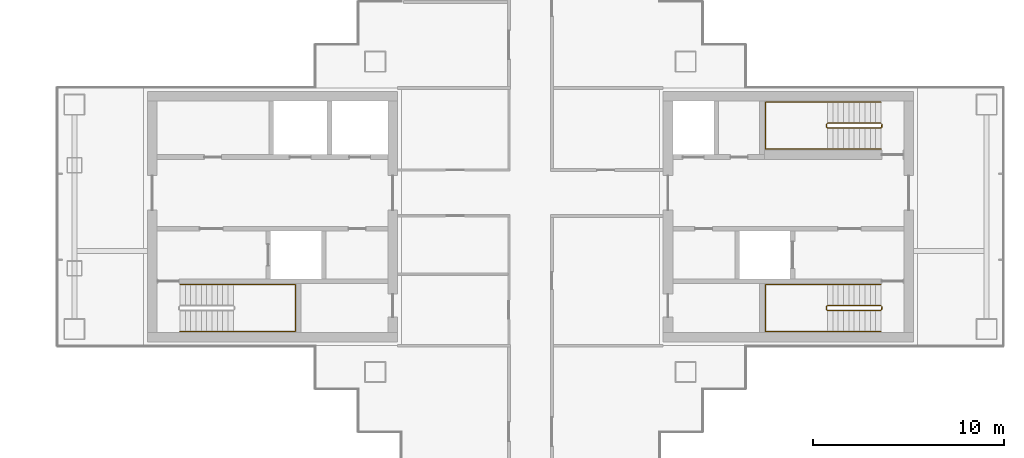
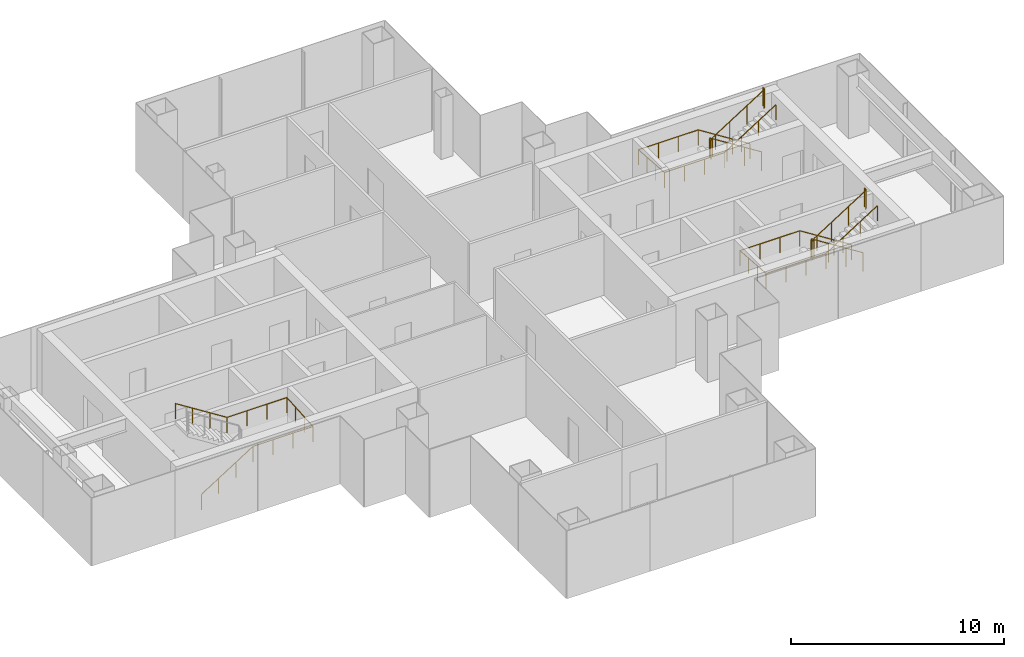
# One storey, part 15 of 16: 5 railings.
"""IFC4 building model written with IfcOpenShell, lengths in metres."""

from ifc_helpers import new_model, si_unit, direction, frame, origin, origin_2d, place, context, subcontext, project, spatial, circle, extrude, material, type_object, element, save


model = new_model("IFC4")

# Units and contexts
model_context = context("Model", 3, precision=1e-05, world=origin(), true_north=direction((0.0, 1.0)))
body_context = subcontext(model_context, "Body", "Model", "MODEL_VIEW")
ifc_project = project(units=[si_unit("LENGTHUNIT", "METRE"), si_unit("AREAUNIT", "SQUARE_METRE"), si_unit("VOLUMEUNIT", "CUBIC_METRE"), si_unit("PLANEANGLEUNIT", "RADIAN"), si_unit("MASSUNIT", "GRAM", prefix="KILO")], contexts=[model_context])

# Site, building, storey
site_placement = place(None, origin())
site = spatial("IfcSite", under=ifc_project, at=site_placement, CompositionType="ELEMENT")
building_placement = place(site_placement, origin())
building = spatial("IfcBuilding", under=site, at=building_placement, Name="Shamsa Quay Exchange Towers", CompositionType="ELEMENT")
storey_placement = place(building_placement, frame((0.0, 0.0, 154.5)))
storey = spatial("IfcBuildingStorey", under=building, at=storey_placement, Name="L36", CompositionType="ELEMENT", Elevation=154.5)

# Railings
ifc_material = material(Name="Stainless steel", Category="steel")
railing_type_1 = type_object("IfcRailingType", Name="STAIR GUARD 1100", PredefinedType="GUARDRAIL", material=ifc_material)
railing_1_placement = place(storey_placement, frame((52.10009765625, -4.64990234375, 0.17724609375)))
element("IfcRailing", 1, at=railing_1_placement, inside=storey, type_object=railing_type_1, Name="L36 ST5 stair guard 1", PredefinedType="GUARDRAIL", context=body_context, shape_type="SweptSolid", body=[
    extrude(circle(Radius=0.02392578125, at=origin_2d()), frame((0.0, 0.0, 1.076171875), z_axis=(-0.844908973607, 0.0, 0.534910110503), x_axis=(0.0, -1.0, 0.0)), (0.0, 0.0, 1.0), 3.31396484375),
    extrude(circle(Radius=0.02392578125, at=origin_2d()), frame((-2.800048828125, 0.0, 2.8486328125), z_axis=(-0.707106781187, -0.707106781187, 0.0), x_axis=(0.707106781187, -0.707106781187, 0.0)), (0.0, 0.0, 1.0), 0.07080078125),
    extrude(circle(Radius=0.02392578125, at=origin_2d()), frame((-2.85009765625, -0.050048828125, 2.8486328125), z_axis=(0.0, -1.0, 0.0), x_axis=(1.0, 0.0, 0.0)), (0.0, 0.0, 1.0), 0.150146484375),
    extrude(circle(Radius=0.02392578125, at=origin_2d()), frame((-2.85009765625, -0.2001953125, 2.8486328125), z_axis=(0.262321481514, -0.261041864531, 0.929001929653), x_axis=(0.705375805398, 0.708833529934, 0.0)), (0.0, 0.0, 1.0), 0.190673828125),
    extrude(circle(Radius=0.02392578125, at=origin_2d()), frame((-2.800048828125, -0.25, 3.02587890625), z_axis=(0.844908973607, 0.0, 0.534910110503), x_axis=(0.0, 1.0, 0.0)), (0.0, 0.0, 1.0), 3.31396484375),
    extrude(circle(Radius=0.02392578125, at=origin_2d()), frame((0.0, -0.25, 4.798828125), z_axis=(0.241699205484, 0.970351222016, 0.0), x_axis=(-0.970351222016, 0.241699205484, 0.0)), (0.0, 0.0, 1.0), 0.2060546875),
    extrude(circle(Radius=0.02392578125, at=origin_2d()), frame((0.0498046875, -0.050048828125, 4.798828125), z_axis=(0.0, -1.0, 0.0), x_axis=(1.0, 0.0, 0.0)), (0.0, 0.0, 1.0), 0.150146484375),
    extrude(circle(Radius=0.02099609375, at=origin_2d()), origin(), (0.0, 0.0, 1.0), 1.052001953125),
    extrude(circle(Radius=0.02099609375, at=origin_2d()), frame((-0.933349609375, 0.0, 0.5908203125)), (0.0, 0.0, 1.0), 1.052001953125),
    extrude(circle(Radius=0.02099609375, at=origin_2d()), frame((-1.86669921875, 0.0, 1.181884765625)), (0.0, 0.0, 1.0), 1.052001953125),
    extrude(circle(Radius=0.02099609375, at=origin_2d()), frame((-2.800048828125, 0.0, 1.772705078125)), (0.0, 0.0, 1.0), 1.052001953125),
    extrude(circle(Radius=0.02099609375, at=origin_2d()), frame((-2.85009765625, -0.050048828125, 1.772705078125)), (0.0, 0.0, 1.0), 1.052001953125),
    extrude(circle(Radius=0.02099609375, at=origin_2d()), frame((-2.85009765625, -0.2001953125, 1.772705078125)), (0.0, 0.0, 1.0), 1.052001953125),
    extrude(circle(Radius=0.02099609375, at=origin_2d()), frame((-2.800048828125, -0.25, 1.949951171875)), (0.0, 0.0, 1.0), 1.052001953125),
    extrude(circle(Radius=0.02099609375, at=origin_2d()), frame((-1.86669921875, -0.25, 2.540771484375)), (0.0, 0.0, 1.0), 1.052001953125),
    extrude(circle(Radius=0.02099609375, at=origin_2d()), frame((-0.933349609375, -0.25, 3.1318359375)), (0.0, 0.0, 1.0), 1.052001953125),
    extrude(circle(Radius=0.02099609375, at=origin_2d()), frame((0.0, -0.25, 3.72265625)), (0.0, 0.0, 1.0), 1.052001953125),
    extrude(circle(Radius=0.02099609375, at=origin_2d()), frame((0.0498046875, -0.050048828125, 3.72265625)), (0.0, 0.0, 1.0), 1.052001953125),
    extrude(circle(Radius=0.02099609375, at=origin_2d()), frame((0.0498046875, -0.2001953125, 3.72265625)), (0.0, 0.0, 1.0), 1.052001953125),
])
railing_2_placement = place(storey_placement, frame((52.10009765625, 4.89990234375, 0.17724609375)))
element("IfcRailing", 2, at=railing_2_placement, inside=storey, type_object=railing_type_1, Name="L36 ST6 stair guard 1", PredefinedType="GUARDRAIL", context=body_context, shape_type="SweptSolid", body=[
    extrude(circle(Radius=0.02392578125, at=origin_2d()), frame((0.0, 0.0, 1.076171875), z_axis=(-0.844908973607, 0.0, 0.534910110503), x_axis=(0.0, -1.0, 0.0)), (0.0, 0.0, 1.0), 3.31396484375),
    extrude(circle(Radius=0.02392578125, at=origin_2d()), frame((-2.800048828125, 0.0, 2.8486328125), z_axis=(-0.708833529934, -0.705375805398, 0.0), x_axis=(0.705375805398, -0.708833529934, 0.0)), (0.0, 0.0, 1.0), 0.070556640625),
    extrude(circle(Radius=0.02392578125, at=origin_2d()), frame((-2.85009765625, -0.0498046875, 2.8486328125), z_axis=(0.0, -1.0, 0.0), x_axis=(1.0, 0.0, 0.0)), (0.0, 0.0, 1.0), 0.150146484375),
    extrude(circle(Radius=0.02392578125, at=origin_2d()), frame((-2.85009765625, -0.199951171875, 2.8486328125), z_axis=(0.262233686654, -0.262233686654, 0.928691007369), x_axis=(0.707106781187, 0.707106781187, 0.0)), (0.0, 0.0, 1.0), 0.19091796875),
    extrude(circle(Radius=0.02392578125, at=origin_2d()), frame((-2.800048828125, -0.25, 3.02587890625), z_axis=(0.844908973607, 0.0, 0.534910110503), x_axis=(0.0, 1.0, 0.0)), (0.0, 0.0, 1.0), 3.31396484375),
    extrude(circle(Radius=0.02392578125, at=origin_2d()), frame((0.0, -0.25, 4.798828125), z_axis=(0.24142163986, 0.970420317083, 0.0), x_axis=(-0.970420317083, 0.24142163986, 0.0)), (0.0, 0.0, 1.0), 0.206298828125),
    extrude(circle(Radius=0.02392578125, at=origin_2d()), frame((0.0498046875, -0.0498046875, 4.798828125), z_axis=(0.0, -1.0, 0.0), x_axis=(1.0, 0.0, 0.0)), (0.0, 0.0, 1.0), 0.150146484375),
    extrude(circle(Radius=0.02099609375, at=origin_2d()), origin(), (0.0, 0.0, 1.0), 1.052001953125),
    extrude(circle(Radius=0.02099609375, at=origin_2d()), frame((-0.933349609375, 0.0, 0.5908203125)), (0.0, 0.0, 1.0), 1.052001953125),
    extrude(circle(Radius=0.02099609375, at=origin_2d()), frame((-1.86669921875, 0.0, 1.181884765625)), (0.0, 0.0, 1.0), 1.052001953125),
    extrude(circle(Radius=0.02099609375, at=origin_2d()), frame((-2.800048828125, 0.0, 1.772705078125)), (0.0, 0.0, 1.0), 1.052001953125),
    extrude(circle(Radius=0.02099609375, at=origin_2d()), frame((-2.85009765625, -0.0498046875, 1.772705078125)), (0.0, 0.0, 1.0), 1.052001953125),
    extrude(circle(Radius=0.02099609375, at=origin_2d()), frame((-2.85009765625, -0.199951171875, 1.772705078125)), (0.0, 0.0, 1.0), 1.052001953125),
    extrude(circle(Radius=0.02099609375, at=origin_2d()), frame((-2.800048828125, -0.25, 1.949951171875)), (0.0, 0.0, 1.0), 1.052001953125),
    extrude(circle(Radius=0.02099609375, at=origin_2d()), frame((-1.86669921875, -0.25, 2.540771484375)), (0.0, 0.0, 1.0), 1.052001953125),
    extrude(circle(Radius=0.02099609375, at=origin_2d()), frame((-0.933349609375, -0.25, 3.1318359375)), (0.0, 0.0, 1.0), 1.052001953125),
    extrude(circle(Radius=0.02099609375, at=origin_2d()), frame((0.0, -0.25, 3.72265625)), (0.0, 0.0, 1.0), 1.052001953125),
    extrude(circle(Radius=0.02099609375, at=origin_2d()), frame((0.0498046875, -0.0498046875, 3.72265625)), (0.0, 0.0, 1.0), 1.052001953125),
    extrude(circle(Radius=0.02099609375, at=origin_2d()), frame((0.0498046875, -0.199951171875, 3.72265625)), (0.0, 0.0, 1.0), 1.052001953125),
])
railing_type_2 = type_object("IfcRailingType", Name="STAIR HANDRAIL 900", PredefinedType="HANDRAIL", material=ifc_material)
railing_3_placement = place(storey_placement, frame((15.39990234375, -6.0, 0.17724609375)))
element("IfcRailing", 3, at=railing_3_placement, inside=storey, type_object=railing_type_2, Name="L36 ST4 stair handrail 1", PredefinedType="HANDRAIL", context=body_context, shape_type="SweptSolid", body=[
    extrude(circle(Radius=0.02392578125, at=origin_2d()), frame((0.0, 0.0, 0.8759765625), z_axis=(0.844908973607, 0.0, 0.534910110503), x_axis=(0.0, 1.0, 0.0)), (0.0, 0.0, 1.0), 3.31396484375),
    extrude(circle(Radius=0.02392578125, at=origin_2d()), frame((2.800048828125, 0.0, 2.6484375), z_axis=(1.0, 0.0, 0.0), x_axis=(0.0, 1.0, 0.0)), (0.0, 0.0, 1.0), 3.25),
    extrude(circle(Radius=0.02392578125, at=origin_2d()), frame((6.050048828125, 0.0, 2.6484375), z_axis=(0.0, 0.997393199914, 0.07215819264), x_axis=(-1.0, 0.0, 0.0)), (0.0, 0.0, 1.0), 2.456298828125),
    extrude(circle(Radius=0.02392578125, at=origin_2d()), frame((6.050048828125, 2.449951171875, 2.82568359375), z_axis=(-1.0, 0.0, 0.0), x_axis=(0.0, -1.0, 0.0)), (0.0, 0.0, 1.0), 3.25),
    extrude(circle(Radius=0.02392578125, at=origin_2d()), frame((2.800048828125, 2.449951171875, 2.82568359375), z_axis=(-0.844908973607, 0.0, 0.534910110503), x_axis=(0.0, -1.0, 0.0)), (0.0, 0.0, 1.0), 3.31396484375),
    extrude(circle(Radius=0.02099609375, at=origin_2d()), origin(), (0.0, 0.0, 1.0), 0.851806640625),
    extrude(circle(Radius=0.02099609375, at=origin_2d()), frame((0.933349609375, 0.0, 0.5908203125)), (0.0, 0.0, 1.0), 0.851806640625),
    extrude(circle(Radius=0.02099609375, at=origin_2d()), frame((1.86669921875, 0.0, 1.181884765625)), (0.0, 0.0, 1.0), 0.851806640625),
    extrude(circle(Radius=0.02099609375, at=origin_2d()), frame((2.800048828125, 0.0, 1.772705078125)), (0.0, 0.0, 1.0), 0.851806640625),
    extrude(circle(Radius=0.02099609375, at=origin_2d()), frame((3.88330078125, 0.0, 1.772705078125)), (0.0, 0.0, 1.0), 0.851806640625),
    extrude(circle(Radius=0.02099609375, at=origin_2d()), frame((4.966796875, 0.0, 1.772705078125)), (0.0, 0.0, 1.0), 0.851806640625),
    extrude(circle(Radius=0.02099609375, at=origin_2d()), frame((6.050048828125, 0.0, 1.772705078125)), (0.0, 0.0, 1.0), 0.851806640625),
    extrude(circle(Radius=0.02099609375, at=origin_2d()), frame((6.050048828125, 0.816650390625, 1.831787109375)), (0.0, 0.0, 1.0), 0.851806640625),
    extrude(circle(Radius=0.02099609375, at=origin_2d()), frame((6.050048828125, 1.63330078125, 1.890869140625)), (0.0, 0.0, 1.0), 0.851806640625),
    extrude(circle(Radius=0.02099609375, at=origin_2d()), frame((6.050048828125, 2.449951171875, 1.949951171875)), (0.0, 0.0, 1.0), 0.851806640625),
    extrude(circle(Radius=0.02099609375, at=origin_2d()), frame((4.966796875, 2.449951171875, 1.949951171875)), (0.0, 0.0, 1.0), 0.851806640625),
    extrude(circle(Radius=0.02099609375, at=origin_2d()), frame((3.88330078125, 2.449951171875, 1.949951171875)), (0.0, 0.0, 1.0), 0.851806640625),
    extrude(circle(Radius=0.02099609375, at=origin_2d()), frame((2.800048828125, 2.449951171875, 1.949951171875)), (0.0, 0.0, 1.0), 0.851806640625),
    extrude(circle(Radius=0.02099609375, at=origin_2d()), frame((1.86669921875, 2.449951171875, 2.540771484375)), (0.0, 0.0, 1.0), 0.851806640625),
    extrude(circle(Radius=0.02099609375, at=origin_2d()), frame((0.933349609375, 2.449951171875, 3.1318359375)), (0.0, 0.0, 1.0), 0.851806640625),
    extrude(circle(Radius=0.02099609375, at=origin_2d()), frame((0.0, 2.449951171875, 3.72265625)), (0.0, 0.0, 1.0), 0.851806640625),
])
railing_4_placement = place(storey_placement, frame((52.10009765625, -3.550048828125, 0.17724609375)))
element("IfcRailing", 4, at=railing_4_placement, inside=storey, type_object=railing_type_2, Name="L36 ST5 stair handrail 1", PredefinedType="HANDRAIL", context=body_context, shape_type="SweptSolid", body=[
    extrude(circle(Radius=0.02392578125, at=origin_2d()), frame((0.0, 0.0, 0.8759765625), z_axis=(-0.844908973607, 0.0, 0.534910110503), x_axis=(0.0, -1.0, 0.0)), (0.0, 0.0, 1.0), 3.31396484375),
    extrude(circle(Radius=0.02392578125, at=origin_2d()), frame((-2.800048828125, 0.0, 2.6484375), z_axis=(-1.0, 0.0, 0.0), x_axis=(0.0, -1.0, 0.0)), (0.0, 0.0, 1.0), 3.25),
    extrude(circle(Radius=0.02392578125, at=origin_2d()), frame((-6.050048828125, 0.0, 2.6484375), z_axis=(0.0, -0.997393199914, 0.07215819264), x_axis=(1.0, 0.0, 0.0)), (0.0, 0.0, 1.0), 2.456298828125),
    extrude(circle(Radius=0.02392578125, at=origin_2d()), frame((-6.050048828125, -2.449951171875, 2.82568359375), z_axis=(1.0, 0.0, 0.0), x_axis=(0.0, 1.0, 0.0)), (0.0, 0.0, 1.0), 3.25),
    extrude(circle(Radius=0.02392578125, at=origin_2d()), frame((-2.800048828125, -2.449951171875, 2.82568359375), z_axis=(0.844908973607, 0.0, 0.534910110503), x_axis=(0.0, 1.0, 0.0)), (0.0, 0.0, 1.0), 3.31396484375),
    extrude(circle(Radius=0.02099609375, at=origin_2d()), origin(), (0.0, 0.0, 1.0), 0.851806640625),
    extrude(circle(Radius=0.02099609375, at=origin_2d()), frame((-0.933349609375, 0.0, 0.5908203125)), (0.0, 0.0, 1.0), 0.851806640625),
    extrude(circle(Radius=0.02099609375, at=origin_2d()), frame((-1.86669921875, 0.0, 1.181884765625)), (0.0, 0.0, 1.0), 0.851806640625),
    extrude(circle(Radius=0.02099609375, at=origin_2d()), frame((-2.800048828125, 0.0, 1.772705078125)), (0.0, 0.0, 1.0), 0.851806640625),
    extrude(circle(Radius=0.02099609375, at=origin_2d()), frame((-3.88330078125, 0.0, 1.772705078125)), (0.0, 0.0, 1.0), 0.851806640625),
    extrude(circle(Radius=0.02099609375, at=origin_2d()), frame((-4.966796875, 0.0, 1.772705078125)), (0.0, 0.0, 1.0), 0.851806640625),
    extrude(circle(Radius=0.02099609375, at=origin_2d()), frame((-6.050048828125, 0.0, 1.772705078125)), (0.0, 0.0, 1.0), 0.851806640625),
    extrude(circle(Radius=0.02099609375, at=origin_2d()), frame((-6.050048828125, -0.816650390625, 1.831787109375)), (0.0, 0.0, 1.0), 0.851806640625),
    extrude(circle(Radius=0.02099609375, at=origin_2d()), frame((-6.050048828125, -1.63330078125, 1.890869140625)), (0.0, 0.0, 1.0), 0.851806640625),
    extrude(circle(Radius=0.02099609375, at=origin_2d()), frame((-6.050048828125, -2.449951171875, 1.949951171875)), (0.0, 0.0, 1.0), 0.851806640625),
    extrude(circle(Radius=0.02099609375, at=origin_2d()), frame((-4.966796875, -2.449951171875, 1.949951171875)), (0.0, 0.0, 1.0), 0.851806640625),
    extrude(circle(Radius=0.02099609375, at=origin_2d()), frame((-3.88330078125, -2.449951171875, 1.949951171875)), (0.0, 0.0, 1.0), 0.851806640625),
    extrude(circle(Radius=0.02099609375, at=origin_2d()), frame((-2.800048828125, -2.449951171875, 1.949951171875)), (0.0, 0.0, 1.0), 0.851806640625),
    extrude(circle(Radius=0.02099609375, at=origin_2d()), frame((-1.86669921875, -2.449951171875, 2.540771484375)), (0.0, 0.0, 1.0), 0.851806640625),
    extrude(circle(Radius=0.02099609375, at=origin_2d()), frame((-0.933349609375, -2.449951171875, 3.1318359375)), (0.0, 0.0, 1.0), 0.851806640625),
    extrude(circle(Radius=0.02099609375, at=origin_2d()), frame((0.0, -2.449951171875, 3.72265625)), (0.0, 0.0, 1.0), 0.851806640625),
])
railing_5_placement = place(storey_placement, frame((52.10009765625, 6.0, 0.17724609375)))
element("IfcRailing", 5, at=railing_5_placement, inside=storey, type_object=railing_type_2, Name="L36 ST6 stair handrail 1", PredefinedType="HANDRAIL", context=body_context, shape_type="SweptSolid", body=[
    extrude(circle(Radius=0.02392578125, at=origin_2d()), frame((0.0, 0.0, 0.8759765625), z_axis=(-0.844908973607, 0.0, 0.534910110503), x_axis=(0.0, -1.0, 0.0)), (0.0, 0.0, 1.0), 3.31396484375),
    extrude(circle(Radius=0.02392578125, at=origin_2d()), frame((-2.800048828125, 0.0, 2.6484375), z_axis=(-1.0, 0.0, 0.0), x_axis=(0.0, -1.0, 0.0)), (0.0, 0.0, 1.0), 3.25),
    extrude(circle(Radius=0.02392578125, at=origin_2d()), frame((-6.050048828125, 0.0, 2.6484375), z_axis=(0.0, -0.997393199914, 0.07215819264), x_axis=(1.0, 0.0, 0.0)), (0.0, 0.0, 1.0), 2.456298828125),
    extrude(circle(Radius=0.02392578125, at=origin_2d()), frame((-6.050048828125, -2.449951171875, 2.82568359375), z_axis=(1.0, 0.0, 0.0), x_axis=(0.0, 1.0, 0.0)), (0.0, 0.0, 1.0), 3.25),
    extrude(circle(Radius=0.02392578125, at=origin_2d()), frame((-2.800048828125, -2.449951171875, 2.82568359375), z_axis=(0.844908973607, 0.0, 0.534910110503), x_axis=(0.0, 1.0, 0.0)), (0.0, 0.0, 1.0), 3.31396484375),
    extrude(circle(Radius=0.02099609375, at=origin_2d()), origin(), (0.0, 0.0, 1.0), 0.851806640625),
    extrude(circle(Radius=0.02099609375, at=origin_2d()), frame((-0.933349609375, 0.0, 0.5908203125)), (0.0, 0.0, 1.0), 0.851806640625),
    extrude(circle(Radius=0.02099609375, at=origin_2d()), frame((-1.86669921875, 0.0, 1.181884765625)), (0.0, 0.0, 1.0), 0.851806640625),
    extrude(circle(Radius=0.02099609375, at=origin_2d()), frame((-2.800048828125, 0.0, 1.772705078125)), (0.0, 0.0, 1.0), 0.851806640625),
    extrude(circle(Radius=0.02099609375, at=origin_2d()), frame((-3.88330078125, 0.0, 1.772705078125)), (0.0, 0.0, 1.0), 0.851806640625),
    extrude(circle(Radius=0.02099609375, at=origin_2d()), frame((-4.966796875, 0.0, 1.772705078125)), (0.0, 0.0, 1.0), 0.851806640625),
    extrude(circle(Radius=0.02099609375, at=origin_2d()), frame((-6.050048828125, 0.0, 1.772705078125)), (0.0, 0.0, 1.0), 0.851806640625),
    extrude(circle(Radius=0.02099609375, at=origin_2d()), frame((-6.050048828125, -0.816650390625, 1.831787109375)), (0.0, 0.0, 1.0), 0.851806640625),
    extrude(circle(Radius=0.02099609375, at=origin_2d()), frame((-6.050048828125, -1.63330078125, 1.890869140625)), (0.0, 0.0, 1.0), 0.851806640625),
    extrude(circle(Radius=0.02099609375, at=origin_2d()), frame((-6.050048828125, -2.449951171875, 1.949951171875)), (0.0, 0.0, 1.0), 0.851806640625),
    extrude(circle(Radius=0.02099609375, at=origin_2d()), frame((-4.966796875, -2.449951171875, 1.949951171875)), (0.0, 0.0, 1.0), 0.851806640625),
    extrude(circle(Radius=0.02099609375, at=origin_2d()), frame((-3.88330078125, -2.449951171875, 1.949951171875)), (0.0, 0.0, 1.0), 0.851806640625),
    extrude(circle(Radius=0.02099609375, at=origin_2d()), frame((-2.800048828125, -2.449951171875, 1.949951171875)), (0.0, 0.0, 1.0), 0.851806640625),
    extrude(circle(Radius=0.02099609375, at=origin_2d()), frame((-1.86669921875, -2.449951171875, 2.540771484375)), (0.0, 0.0, 1.0), 0.851806640625),
    extrude(circle(Radius=0.02099609375, at=origin_2d()), frame((-0.933349609375, -2.449951171875, 3.1318359375)), (0.0, 0.0, 1.0), 0.851806640625),
    extrude(circle(Radius=0.02099609375, at=origin_2d()), frame((0.0, -2.449951171875, 3.72265625)), (0.0, 0.0, 1.0), 0.851806640625),
])

save(model, "model.ifc")
